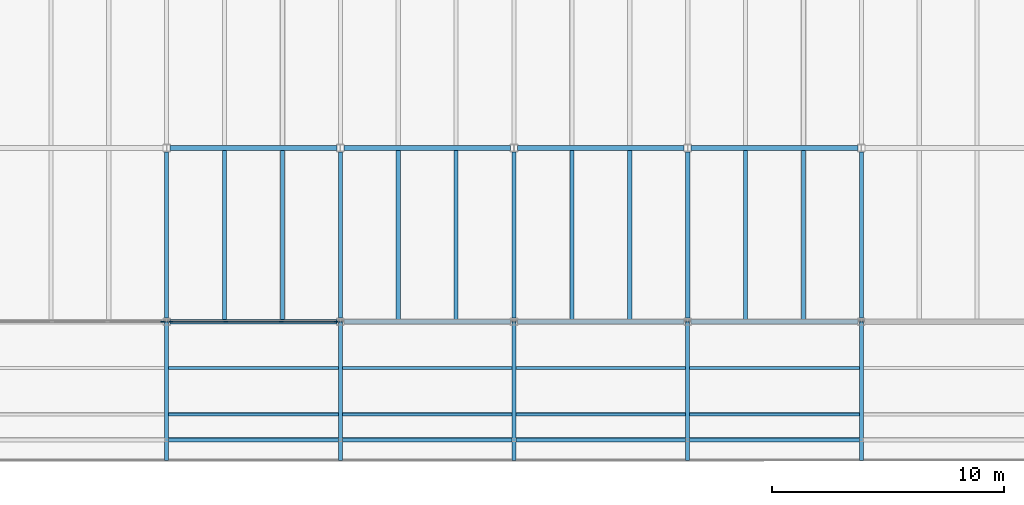
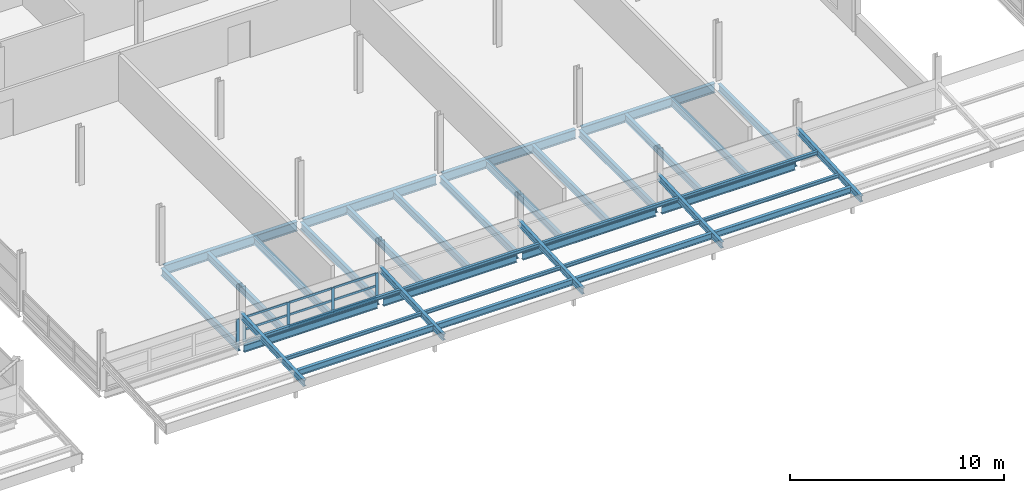
# One storey, part 40 of 214: 27 members, 25 beams, 2 elements without a shape of their own.
"""IFC4 building model written with IfcOpenShell, lengths in metres."""

import ifcopenshell
import ifcopenshell.guid

model = None  # the IFC model being written
_history = None  # IfcOwnerHistory: only IFC2X3 demands one
_inside = {}  # id of a spatial element -> (the spatial element, [elements in it])
_under = {}  # id of a project, library or spatial element -> (it, [spatial elements below it])
_declared = {}  # id of a project -> (the project, [libraries it declares])
_typed = {}  # id of a type object -> (the type object, [elements of that type])
_made_of = {}  # id of a material, layer set ... -> (it, [elements and type objects made of it])


def new_model(schema):
    """Start an empty IFC model of exactly this schema.

    Asked for "IFC4X3", IfcOpenShell would pick the latest addendum, in which some entities
    have other attributes; the version numbers below select the first issue.
    IFC2X3 requires an IfcOwnerHistory on every rooted entity: one is made here for all.
    """
    global model, _history
    if schema == "IFC4X3":
        model = ifcopenshell.file(schema_version=(4, 3, 0, 0))
    else:
        model = ifcopenshell.file(schema=schema)
    _inside.clear()
    _under.clear()
    _declared.clear()
    _typed.clear()
    _made_of.clear()
    _history = None
    if model.schema == "IFC2X3":
        org = make("IfcOrganization", Name="unknown")
        user = make(
            "IfcPersonAndOrganization",
            ThePerson=make("IfcPerson", FamilyName="unknown"),
            TheOrganization=org,
        )
        app = make(
            "IfcApplication",
            ApplicationDeveloper=org,
            Version="unknown",
            ApplicationFullName="unknown",
            ApplicationIdentifier="unknown",
        )
        _history = make(
            "IfcOwnerHistory",
            OwningUser=user,
            OwningApplication=app,
            ChangeAction="ADDED",
            CreationDate=0,
        )
    return model


def make(cls, **values):
    """One entity of the class cls with the attributes given. An attribute that is None is left unset."""
    return model.create_entity(
        cls, **{name: value for name, value in values.items() if value is not None}
    )


def rooted(cls, **values):
    """An entity with a GlobalId (a new one), such as an element, a storey or a relation."""
    return make(cls, GlobalId=ifcopenshell.guid.new(), OwnerHistory=_history, **values)


def si_unit(unit_type, name, prefix=None):
    """IfcSIUnit, for example si_unit("LENGTHUNIT", "METRE", prefix="MILLI")."""
    return make("IfcSIUnit", UnitType=unit_type, Prefix=prefix, Name=name)


def assignment(units):
    """IfcUnitAssignment: the units of a project."""
    return None if units is None else make("IfcUnitAssignment", Units=units)


def point(xyz):
    """IfcCartesianPoint."""
    return None if xyz is None else make("IfcCartesianPoint", Coordinates=xyz)


def direction(xyz):
    """IfcDirection."""
    return None if xyz is None else make("IfcDirection", DirectionRatios=xyz)


def frame(location, z_axis=None, x_axis=None):
    """IfcAxis2Placement3D, a coordinate frame: its origin and axes. An axis left out is left unset."""
    return make(
        "IfcAxis2Placement3D",
        Location=point(location),
        Axis=direction(z_axis),
        RefDirection=direction(x_axis),
    )


def frame_2d(location, x_axis=None):
    """IfcAxis2Placement2D, a coordinate frame in the plane: its origin and x axis."""
    return make(
        "IfcAxis2Placement2D", Location=point(location), RefDirection=direction(x_axis)
    )


def origin():
    """The frame at (0, 0, 0) with its axes left unset."""
    return frame((0.0, 0.0, 0.0))


def origin_2d():
    """The frame at (0, 0) in the plane with its x axis left unset."""
    return frame_2d((0.0, 0.0))


def place(relative_to, where):
    """IfcLocalPlacement: puts the frame where relative to a parent placement (None: the world)."""
    return make(
        "IfcLocalPlacement", PlacementRelTo=relative_to, RelativePlacement=where
    )


def context(
    kind, dimensions, precision=None, world=None, true_north=None, identifier=None
):
    """IfcGeometricRepresentationContext, for example the 3D "Model" context."""
    return make(
        "IfcGeometricRepresentationContext",
        ContextIdentifier=identifier,
        ContextType=kind,
        CoordinateSpaceDimension=dimensions,
        Precision=precision,
        WorldCoordinateSystem=world,
        TrueNorth=true_north,
    )


def subcontext(parent, identifier, kind, view, scale=None):
    """IfcGeometricRepresentationSubContext, for example "Body" below "Model"."""
    return make(
        "IfcGeometricRepresentationSubContext",
        ContextIdentifier=identifier,
        ContextType=kind,
        ParentContext=parent,
        TargetScale=scale,
        TargetView=view,
    )


def project(units=None, contexts=None):
    """IfcProject with its units and contexts."""
    return rooted(
        "IfcProject",
        Name="project",
        RepresentationContexts=contexts,
        UnitsInContext=assignment(units),
    )


def spatial(cls, under=None, at=None, **own):
    """A site, building, storey or space (cls), placed at a placement, below another one or the project."""
    s = rooted(cls, ObjectPlacement=at, **own)
    if under is not None:
        _under.setdefault(under.id(), (under, []))[1].append(s)
    return s


def profile(cls, at=None, kind="AREA", **sizes):
    """A parametric profile (cls). Its sizes go by their IFC names, for example OverallWidth=200.0."""
    return make(cls, ProfileType=kind, Position=at, **sizes)


def rectangle(**sizes):
    """IfcRectangleProfileDef."""
    return profile("IfcRectangleProfileDef", **sizes)


def i_section(**sizes):
    """IfcIShapeProfileDef."""
    return profile("IfcIShapeProfileDef", **sizes)


def extrude(swept, where, along, depth):
    """IfcExtrudedAreaSolid: the profile swept, set in the frame where, extruded along a direction by depth."""
    return make(
        "IfcExtrudedAreaSolid",
        SweptArea=swept,
        Position=where,
        ExtrudedDirection=direction(along),
        Depth=depth,
    )


def shape(context_of_items, identifier, shape_type, items):
    """IfcShapeRepresentation: the items that make up one representation, for example the "Body"."""
    return make(
        "IfcShapeRepresentation",
        ContextOfItems=context_of_items,
        RepresentationIdentifier=identifier,
        RepresentationType=shape_type,
        Items=items,
    )


def material(Name=None, Category=None):
    """IfcMaterial."""
    return make("IfcMaterial", Name=Name, Category=Category)


def material_profile(
    of_material, cross_section, Name=None, Category=None, Priority=None
):
    """IfcMaterialProfile: a cross section and its material."""
    return make(
        "IfcMaterialProfile",
        Name=Name,
        Material=of_material,
        Profile=cross_section,
        Priority=Priority,
        Category=Category,
    )


def profile_set(profiles, Name=None, composite=None):
    """IfcMaterialProfileSet."""
    return make(
        "IfcMaterialProfileSet",
        Name=Name,
        MaterialProfiles=profiles,
        CompositeProfile=composite,
    )


def made_of(thing, what):
    """Note that an element or type object is made of a material, layer set ...; save() writes the relation."""
    if what is not None:
        _made_of.setdefault(what.id(), (what, []))[1].append(thing)
    return thing


def type_object(cls, material=None, **own):
    """A type object (cls), such as IfcWallType, which elements share."""
    return made_of(rooted(cls, **own), material)


def element(
    cls,
    number,
    at=None,
    inside=None,
    cuts=None,
    type_object=None,
    material=None,
    context=None,
    identifier="Body",
    shape_type=None,
    held_by="IfcProductDefinitionShape",
    body=None,
    shapes=None,
    **own,
):
    """One element of the class cls, such as IfcWall. Its Tag is "e" and its number.

    at: its placement. inside: the storey or other place that contains it. cuts: it is an
    opening in that element (IfcRelVoidsElement). A single representation is given by context,
    identifier, shape_type and body (its items); several are given by shapes. held_by: the class
    of the entity that holds the representations. save() writes the other relations.
    """
    e = rooted(cls, Tag="e%d" % number, ObjectPlacement=at, **own)
    if body is not None:
        shapes = [shape(context, identifier, shape_type, body)]
    if shapes is not None:
        e.Representation = make(held_by, Representations=shapes)
    if inside is not None:
        _inside.setdefault(inside.id(), (inside, []))[1].append(e)
    if cuts is not None:
        rooted(
            "IfcRelVoidsElement", RelatingBuildingElement=cuts, RelatedOpeningElement=e
        )
    if type_object is not None:
        _typed.setdefault(type_object.id(), (type_object, []))[1].append(e)
    return made_of(e, material)


def aggregate(whole, parts):
    """IfcRelAggregates: a whole, such as a stair, and the parts it consists of."""
    return rooted("IfcRelAggregates", RelatingObject=whole, RelatedObjects=parts)


def save(model, path):
    """Write the relations noted so far, then the file.

    IfcRelAggregates (storeys below a building ...), IfcRelContainedInSpatialStructure (elements
    in a storey), IfcRelDefinesByType, IfcRelAssociatesMaterial and IfcRelDeclares: one each for
    every whole, place, type object, material and project.
    """
    for whole, parts in _under.values():
        aggregate(whole, parts)
    for where, things in _inside.values():
        rooted(
            "IfcRelContainedInSpatialStructure",
            RelatedElements=things,
            RelatingStructure=where,
        )
    for kind, things in _typed.values():
        rooted("IfcRelDefinesByType", RelatedObjects=things, RelatingType=kind)
    for what, things in _made_of.values():
        rooted("IfcRelAssociatesMaterial", RelatedObjects=things, RelatingMaterial=what)
    for by, libraries in _declared.values():
        rooted("IfcRelDeclares", RelatingContext=by, RelatedDefinitions=libraries)
    model.write(path)


model = new_model("IFC4")

# Units and contexts
model_context = context("Model", 3, precision=1e-05, world=origin(), true_north=direction((0.0, 1.0)))
body_context = subcontext(model_context, "Body", "Model", "MODEL_VIEW")
ifc_project = project(units=[si_unit("LENGTHUNIT", "METRE"), si_unit("AREAUNIT", "SQUARE_METRE"), si_unit("VOLUMEUNIT", "CUBIC_METRE"), si_unit("PLANEANGLEUNIT", "RADIAN"), si_unit("MASSUNIT", "GRAM", prefix="KILO")], contexts=[model_context])

# Site, building, storey
site_placement = place(None, origin())
site = spatial("IfcSite", under=ifc_project, at=site_placement, CompositionType="ELEMENT")
building_placement = place(site_placement, origin())
building = spatial("IfcBuilding", under=site, at=building_placement, Name="Parallax Yard Mobility Hub", CompositionType="ELEMENT")
storey_placement = place(building_placement, frame((0.0, 0.0, 3.300048828125)))
storey = spatial("IfcBuildingStorey", under=building, at=storey_placement, Name="L01", CompositionType="ELEMENT", Elevation=3.300048828125)

# Beams
ifc_material_1 = material(Name="Steel ASTM A992", Category="steel")
ifc_material_profile_1 = material_profile(ifc_material_1, i_section(OverallWidth=0.1708984375, OverallDepth=0.35498046875, WebThickness=0.007080078125, FlangeThickness=0.01171875, at=origin_2d()), Name="W360x51")
ifc_profile_set_1 = profile_set([ifc_material_profile_1], Name="Steel ASTM A992")
beam_type_1 = type_object("IfcBeamType", Name="Arcade edge beam W360x51", PredefinedType="SPANDREL", material=ifc_profile_set_1)
for number, where, z_axis, x_axis, name in (
    (1, (105.08544921875, 2.408935546875, 1.378173828125), (1.0, 0.0, 0.0), (0.0, 0.998752343433, 0.049937525845), "Arcade edge beam V6 bay 2"),
    (2, (112.58544921875, 2.408935546875, 1.378173828125), (1.0, 0.0, 0.0), (0.0, 0.998752343433, 0.049937525845), "Arcade edge beam V6 bay 3"),
    (3, (120.08544921875, 2.408935546875, 1.378173828125), (1.0, 0.0, 0.0), (0.0, 0.998752343433, 0.049937525845), "Arcade edge beam V6 bay 4"),
    (4, (127.58544921875, 2.408935546875, 1.378173828125), (1.0, 0.0, 0.0), (0.0, 0.998752343433, 0.049937525845), "Arcade edge beam V6 bay 5"),
):
    element("IfcBeam", number, at=place(storey_placement, frame(where, z_axis=z_axis, x_axis=x_axis)), inside=storey, type_object=beam_type_1, Name=name, PredefinedType="SPANDREL", context=body_context, shape_type="SweptSolid", body=[
        extrude(i_section(OverallWidth=0.1708984375, OverallDepth=0.35498046875, WebThickness=0.007080078125, FlangeThickness=0.01171875, at=origin_2d()), origin(), (0.0, 0.0, 1.0), 7.3291015625),
    ])

# Members
ifc_material_profile_2 = material_profile(ifc_material_1, i_section(OverallWidth=0.133056640625, OverallDepth=0.20703125, WebThickness=0.005859375, FlangeThickness=0.00830078125, at=origin_2d()), Name="W200x27")
ifc_profile_set_2 = profile_set([ifc_material_profile_2], Name="Steel ASTM A992")
member_type_1 = type_object("IfcMemberType", Name="Arcade purlin W200x27", PredefinedType="PURLIN", material=ifc_profile_set_2)
for number, where, z_axis, x_axis, name in (
    (5, (105.08544921875, 3.505126953125, 1.507080078125), (1.0, 0.0, 0.0), (0.0, 0.998752343433, 0.049937525845), "Arcade purlin V6 bay 2 line 1"),
    (6, (105.08544921875, 5.505126953125, 1.60693359375), (1.0, 0.0, 0.0), (0.0, 0.998752343433, 0.049937525845), "Arcade purlin V6 bay 2 line 2"),
    (7, (112.58544921875, 3.505126953125, 1.507080078125), (1.0, 0.0, 0.0), (0.0, 0.998752343433, 0.049937525845), "Arcade purlin V6 bay 3 line 1"),
    (8, (112.58544921875, 5.505126953125, 1.60693359375), (1.0, 0.0, 0.0), (0.0, 0.998752343433, 0.049937525845), "Arcade purlin V6 bay 3 line 2"),
    (9, (120.08544921875, 3.505126953125, 1.507080078125), (1.0, 0.0, 0.0), (0.0, 0.998752343433, 0.049937525845), "Arcade purlin V6 bay 4 line 1"),
    (10, (120.08544921875, 5.505126953125, 1.60693359375), (1.0, 0.0, 0.0), (0.0, 0.998752343433, 0.049937525845), "Arcade purlin V6 bay 4 line 2"),
    (11, (127.58544921875, 3.505126953125, 1.507080078125), (1.0, 0.0, 0.0), (0.0, 0.998752343433, 0.049937525845), "Arcade purlin V6 bay 5 line 1"),
    (12, (127.58544921875, 5.505126953125, 1.60693359375), (1.0, 0.0, 0.0), (0.0, 0.998752343433, 0.049937525845), "Arcade purlin V6 bay 5 line 2"),
):
    element("IfcMember", number, at=place(storey_placement, frame(where, z_axis=z_axis, x_axis=x_axis)), inside=storey, type_object=member_type_1, Name=name, PredefinedType="PURLIN", context=body_context, shape_type="SweptSolid", body=[
        extrude(i_section(OverallWidth=0.133056640625, OverallDepth=0.20703125, WebThickness=0.005859375, FlangeThickness=0.00830078125, at=origin_2d()), origin(), (0.0, 0.0, 1.0), 7.3291015625),
    ])
ifc_material_profile_3 = material_profile(ifc_material_1, i_section(OverallWidth=0.1708984375, OverallDepth=0.35498046875, WebThickness=0.007080078125, FlangeThickness=0.01171875, at=origin_2d()), Name="W360x51")
ifc_profile_set_3 = profile_set([ifc_material_profile_3], Name="Steel ASTM A992")
member_type_2 = type_object("IfcMemberType", Name="Arcade rafter W360x51", PredefinedType="RAFTER", material=ifc_profile_set_3)
for number, where, z_axis, x_axis, name in (
    (13, (105.0, 1.518798828125, 1.333740234375), (0.0, 0.998753861131, 0.049907162574), (-1.0, 0.0, 0.0), "Arcade rafter V6 2"),
    (14, (112.5, 1.518798828125, 1.333740234375), (0.0, 0.998753861131, 0.049907162574), (-1.0, 0.0, 0.0), "Arcade rafter V6 3"),
    (15, (120.0, 1.518798828125, 1.333740234375), (0.0, 0.998753861131, 0.049907162574), (-1.0, 0.0, 0.0), "Arcade rafter V6 4"),
    (16, (127.5, 1.518798828125, 1.333740234375), (0.0, 0.998753861131, 0.049907162574), (-1.0, 0.0, 0.0), "Arcade rafter V6 5"),
    (17, (135.0, 1.518798828125, 1.333740234375), (0.0, 0.998753861131, 0.049907162574), (-1.0, 0.0, 0.0), "Arcade rafter V6 6"),
):
    element("IfcMember", number, at=place(storey_placement, frame(where, z_axis=z_axis, x_axis=x_axis)), inside=storey, type_object=member_type_2, Name=name, PredefinedType="RAFTER", context=body_context, shape_type="SweptSolid", body=[
        extrude(i_section(OverallWidth=0.1708984375, OverallDepth=0.35498046875, WebThickness=0.007080078125, FlangeThickness=0.01171875, at=origin_2d()), origin(), (0.0, 0.0, 1.0), 5.99755859375),
    ])

# Curtain wall, member
ifc_material_2 = material(Name="Thermally broken aluminium curtain wall system", Category="aluminium")
curtain_wall_type = type_object("IfcCurtainWallType", Name="Curtain wall run 60 x 160 frame", PredefinedType="NOTDEFINED", material=ifc_material_2)
curtain_wall_1_placement = place(storey_placement, origin())
curtain_wall_1 = element("IfcCurtainWall", 18, at=curtain_wall_1_placement, inside=storey, type_object=curtain_wall_type, Name="Curtain wall run Mobility service centre and workshops south bay 1 level L01", PredefinedType="NOTDEFINED")
ifc_material_3 = material(Name="Extruded aluminium", Category="aluminium")
ifc_material_profile_4 = material_profile(ifc_material_3, rectangle(XDim=0.06005859375, YDim=0.159912109375, at=origin_2d()), Name="Mullion 60 x 160")
ifc_profile_set_4 = profile_set([ifc_material_profile_4], Name="Extruded aluminium")
member_type_3 = type_object("IfcMemberType", Name="Mullion 60 x 160", PredefinedType="MULLION", material=ifc_profile_set_4)
member_1_placement = place(storey_placement, frame((104.81640625, 7.5, 0.0), z_axis=(0.0, 0.0, 1.0), x_axis=(0.0, 1.0, 0.0)))
member_1 = element("IfcMember", 19, at=member_1_placement, type_object=member_type_3, Name="CW1 mullion 4", PredefinedType="MULLION", context=body_context, shape_type="SweptSolid", body=[
    extrude(rectangle(XDim=0.06005859375, YDim=0.159912109375, at=origin_2d()), origin(), (0.0, 0.0, 1.0), 1.4404296875),
])
aggregate(curtain_wall_1, [member_1])

# Curtain wall, members
curtain_wall_2_placement = place(storey_placement, origin())
curtain_wall_2 = element("IfcCurtainWall", 20, at=curtain_wall_2_placement, inside=storey, type_object=curtain_wall_type, Name="Curtain wall run Mobility service centre and workshops south bay 2 level L01", PredefinedType="NOTDEFINED")
member_2_placement = place(storey_placement, frame((105.18359375, 7.5, 0.0), z_axis=(0.0, 0.0, 1.0), x_axis=(0.0, 1.0, 0.0)))
member_2 = element("IfcMember", 21, at=member_2_placement, type_object=member_type_3, Name="CW1 mullion 1", PredefinedType="MULLION", context=body_context, shape_type="SweptSolid", body=[
    extrude(rectangle(XDim=0.06005859375, YDim=0.159912109375, at=origin_2d()), origin(), (0.0, 0.0, 1.0), 1.4404296875),
])
member_3_placement = place(storey_placement, frame((107.55126953125, 7.5, 0.0), z_axis=(0.0, 0.0, 1.0), x_axis=(0.0, 1.0, 0.0)))
member_3 = element("IfcMember", 22, at=member_3_placement, type_object=member_type_3, Name="CW1 mullion 2", PredefinedType="MULLION", context=body_context, shape_type="SweptSolid", body=[
    extrude(rectangle(XDim=0.06005859375, YDim=0.159912109375, at=origin_2d()), origin(), (0.0, 0.0, 1.0), 1.4404296875),
])
member_4_placement = place(storey_placement, frame((109.94873046875, 7.5, 0.0), z_axis=(0.0, 0.0, 1.0), x_axis=(0.0, 1.0, 0.0)))
member_4 = element("IfcMember", 23, at=member_4_placement, type_object=member_type_3, Name="CW1 mullion 3", PredefinedType="MULLION", context=body_context, shape_type="SweptSolid", body=[
    extrude(rectangle(XDim=0.06005859375, YDim=0.159912109375, at=origin_2d()), origin(), (0.0, 0.0, 1.0), 1.4404296875),
])
member_5_placement = place(storey_placement, frame((112.31640625, 7.5, 0.0), z_axis=(0.0, 0.0, 1.0), x_axis=(0.0, 1.0, 0.0)))
member_5 = element("IfcMember", 24, at=member_5_placement, type_object=member_type_3, Name="CW1 mullion 4", PredefinedType="MULLION", context=body_context, shape_type="SweptSolid", body=[
    extrude(rectangle(XDim=0.06005859375, YDim=0.159912109375, at=origin_2d()), origin(), (0.0, 0.0, 1.0), 1.4404296875),
])
ifc_material_profile_5 = material_profile(ifc_material_3, rectangle(XDim=0.06005859375, YDim=0.1201171875, at=origin_2d()), Name="Transom 60 x 120")
ifc_profile_set_5 = profile_set([ifc_material_profile_5], Name="Extruded aluminium")
member_type_4 = type_object("IfcMemberType", Name="Transom 60 x 120", PredefinedType="USERDEFINED", material=ifc_profile_set_5)
member_6_placement = place(storey_placement, frame((105.21337890625, 7.5, 0.030029296875), z_axis=(1.0, 0.0, 0.0), x_axis=(0.0, 1.0, 0.0)))
member_6 = element("IfcMember", 25, at=member_6_placement, type_object=member_type_4, Name="CW1 transom 1.1", ObjectType="TRANSOM", PredefinedType="USERDEFINED", context=body_context, shape_type="SweptSolid", body=[
    extrude(rectangle(XDim=0.06005859375, YDim=0.1201171875, at=origin_2d()), origin(), (0.0, 0.0, 1.0), 2.307861328125),
])
member_7_placement = place(storey_placement, frame((105.21337890625, 7.5, 0.72021484375), z_axis=(1.0, 0.0, 0.0), x_axis=(0.0, 1.0, 0.0)))
member_7 = element("IfcMember", 26, at=member_7_placement, type_object=member_type_4, Name="CW1 transom 1.2", ObjectType="TRANSOM", PredefinedType="USERDEFINED", context=body_context, shape_type="SweptSolid", body=[
    extrude(rectangle(XDim=0.06005859375, YDim=0.1201171875, at=origin_2d()), origin(), (0.0, 0.0, 1.0), 2.307861328125),
])
member_8_placement = place(storey_placement, frame((105.21337890625, 7.5, 1.410400390625), z_axis=(1.0, 0.0, 0.0), x_axis=(0.0, 1.0, 0.0)))
member_8 = element("IfcMember", 27, at=member_8_placement, type_object=member_type_4, Name="CW1 transom 1.3", ObjectType="TRANSOM", PredefinedType="USERDEFINED", context=body_context, shape_type="SweptSolid", body=[
    extrude(rectangle(XDim=0.06005859375, YDim=0.1201171875, at=origin_2d()), origin(), (0.0, 0.0, 1.0), 2.307861328125),
])
member_9_placement = place(storey_placement, frame((107.5810546875, 7.5, 0.030029296875), z_axis=(1.0, 0.0, 0.0), x_axis=(0.0, 1.0, 0.0)))
member_9 = element("IfcMember", 28, at=member_9_placement, type_object=member_type_4, Name="CW1 transom 2.1", ObjectType="TRANSOM", PredefinedType="USERDEFINED", context=body_context, shape_type="SweptSolid", body=[
    extrude(rectangle(XDim=0.06005859375, YDim=0.1201171875, at=origin_2d()), origin(), (0.0, 0.0, 1.0), 2.337890625),
])
member_10_placement = place(storey_placement, frame((107.5810546875, 7.5, 0.72021484375), z_axis=(1.0, 0.0, 0.0), x_axis=(0.0, 1.0, 0.0)))
member_10 = element("IfcMember", 29, at=member_10_placement, type_object=member_type_4, Name="CW1 transom 2.2", ObjectType="TRANSOM", PredefinedType="USERDEFINED", context=body_context, shape_type="SweptSolid", body=[
    extrude(rectangle(XDim=0.06005859375, YDim=0.1201171875, at=origin_2d()), origin(), (0.0, 0.0, 1.0), 2.337890625),
])
member_11_placement = place(storey_placement, frame((107.5810546875, 7.5, 1.410400390625), z_axis=(1.0, 0.0, 0.0), x_axis=(0.0, 1.0, 0.0)))
member_11 = element("IfcMember", 30, at=member_11_placement, type_object=member_type_4, Name="CW1 transom 2.3", ObjectType="TRANSOM", PredefinedType="USERDEFINED", context=body_context, shape_type="SweptSolid", body=[
    extrude(rectangle(XDim=0.06005859375, YDim=0.1201171875, at=origin_2d()), origin(), (0.0, 0.0, 1.0), 2.337890625),
])
member_12_placement = place(storey_placement, frame((109.978759765625, 7.5, 0.030029296875), z_axis=(1.0, 0.0, 0.0), x_axis=(0.0, 1.0, 0.0)))
member_12 = element("IfcMember", 31, at=member_12_placement, type_object=member_type_4, Name="CW1 transom 3.1", ObjectType="TRANSOM", PredefinedType="USERDEFINED", context=body_context, shape_type="SweptSolid", body=[
    extrude(rectangle(XDim=0.06005859375, YDim=0.1201171875, at=origin_2d()), origin(), (0.0, 0.0, 1.0), 2.307861328125),
])
member_13_placement = place(storey_placement, frame((109.978759765625, 7.5, 0.72021484375), z_axis=(1.0, 0.0, 0.0), x_axis=(0.0, 1.0, 0.0)))
member_13 = element("IfcMember", 32, at=member_13_placement, type_object=member_type_4, Name="CW1 transom 3.2", ObjectType="TRANSOM", PredefinedType="USERDEFINED", context=body_context, shape_type="SweptSolid", body=[
    extrude(rectangle(XDim=0.06005859375, YDim=0.1201171875, at=origin_2d()), origin(), (0.0, 0.0, 1.0), 2.307861328125),
])
member_14_placement = place(storey_placement, frame((109.978759765625, 7.5, 1.410400390625), z_axis=(1.0, 0.0, 0.0), x_axis=(0.0, 1.0, 0.0)))
member_14 = element("IfcMember", 33, at=member_14_placement, type_object=member_type_4, Name="CW1 transom 3.3", ObjectType="TRANSOM", PredefinedType="USERDEFINED", context=body_context, shape_type="SweptSolid", body=[
    extrude(rectangle(XDim=0.06005859375, YDim=0.1201171875, at=origin_2d()), origin(), (0.0, 0.0, 1.0), 2.307861328125),
])
aggregate(curtain_wall_2, [member_2, member_3, member_4, member_5, member_6, member_7, member_8, member_9, member_10, member_11, member_12, member_13, member_14])

# Beams
ifc_material_profile_6 = material_profile(ifc_material_1, i_section(OverallWidth=0.177978515625, OverallDepth=0.406005859375, WebThickness=0.0078125, FlangeThickness=0.0126953125, FilletRadius=0.01025390625, at=origin_2d()), Name="W410x60")
ifc_profile_set_6 = profile_set([ifc_material_profile_6], Name="Steel ASTM A992")
beam_type_2 = type_object("IfcBeamType", Name="W410x60 secondary beam", PredefinedType="JOIST", material=ifc_profile_set_6)
for number, where, z_axis, x_axis, name in (
    (34, (107.5, 7.589599609375, -0.343017578125), (0.0, 1.0, 0.0), (-1.0, 0.0, 0.0), "Secondary beam B1 level L01, 2.5 m east of line 15 of mobility service centre and workshops, span 1"),
    (35, (115.0, 7.589599609375, -0.343017578125), (0.0, 1.0, 0.0), (-1.0, 0.0, 0.0), "Secondary beam B1 level L01, 2.5 m east of line 16 of mobility service centre and workshops, span 1"),
    (36, (122.5, 7.589599609375, -0.343017578125), (0.0, 1.0, 0.0), (-1.0, 0.0, 0.0), "Secondary beam B1 level L01, 2.5 m east of line 17 of mobility service centre and workshops, span 1"),
    (37, (130.0, 7.589599609375, -0.343017578125), (0.0, 1.0, 0.0), (-1.0, 0.0, 0.0), "Secondary beam B1 level L01, 2.5 m east of line 18 of mobility service centre and workshops, span 1"),
    (38, (110.0, 7.589599609375, -0.343017578125), (0.0, 1.0, 0.0), (-1.0, 0.0, 0.0), "Secondary beam B1 level L01, 5 m east of line 15 of mobility service centre and workshops, span 1"),
    (39, (117.5, 7.589599609375, -0.343017578125), (0.0, 1.0, 0.0), (-1.0, 0.0, 0.0), "Secondary beam B1 level L01, 5 m east of line 16 of mobility service centre and workshops, span 1"),
    (40, (125.0, 7.589599609375, -0.343017578125), (0.0, 1.0, 0.0), (-1.0, 0.0, 0.0), "Secondary beam B1 level L01, 5 m east of line 17 of mobility service centre and workshops, span 1"),
    (41, (132.5, 7.589599609375, -0.343017578125), (0.0, 1.0, 0.0), (-1.0, 0.0, 0.0), "Secondary beam B1 level L01, 5 m east of line 18 of mobility service centre and workshops, span 1"),
):
    element("IfcBeam", number, at=place(storey_placement, frame(where, z_axis=z_axis, x_axis=x_axis)), inside=storey, type_object=beam_type_2, Name=name, PredefinedType="JOIST", context=body_context, shape_type="SweptSolid", body=[
        extrude(i_section(OverallWidth=0.177978515625, OverallDepth=0.406005859375, WebThickness=0.0078125, FlangeThickness=0.0126953125, FilletRadius=0.01025390625, at=origin_2d()), origin(), (0.0, 0.0, 1.0), 7.305908203125),
    ])
ifc_material_profile_7 = material_profile(ifc_material_1, i_section(OverallWidth=0.178955078125, OverallDepth=0.408935546875, WebThickness=0.0087890625, FlangeThickness=0.014404296875, FilletRadius=0.01025390625, at=origin_2d()), Name="W410x67")
ifc_profile_set_7 = profile_set([ifc_material_profile_7], Name="Steel ASTM A992")
beam_type_3 = type_object("IfcBeamType", Name="W410x67 edge beam", PredefinedType="SPANDREL", material=ifc_profile_set_7)
for number, where, z_axis, x_axis, name in (
    (42, (105.152587890625, 7.5, -0.344482421875), (1.0, 0.0, 0.0), (0.0, 1.0, 0.0), "Edge beam SB3 level L01, line B of mobility service centre and workshops, span 2"),
    (43, (112.652587890625, 7.5, -0.344482421875), (1.0, 0.0, 0.0), (0.0, 1.0, 0.0), "Edge beam SB3 level L01, line B of mobility service centre and workshops, span 3"),
    (44, (120.152587890625, 7.5, -0.344482421875), (1.0, 0.0, 0.0), (0.0, 1.0, 0.0), "Edge beam SB3 level L01, line B of mobility service centre and workshops, span 4"),
    (45, (127.652587890625, 7.5, -0.344482421875), (1.0, 0.0, 0.0), (0.0, 1.0, 0.0), "Edge beam SB3 level L01, line B of mobility service centre and workshops, span 5"),
):
    element("IfcBeam", number, at=place(storey_placement, frame(where, z_axis=z_axis, x_axis=x_axis)), inside=storey, type_object=beam_type_3, Name=name, PredefinedType="SPANDREL", context=body_context, shape_type="SweptSolid", body=[
        extrude(i_section(OverallWidth=0.178955078125, OverallDepth=0.408935546875, WebThickness=0.0087890625, FlangeThickness=0.014404296875, FilletRadius=0.01025390625, at=origin_2d()), origin(), (0.0, 0.0, 1.0), 7.19482421875),
    ])
ifc_material_profile_8 = material_profile(ifc_material_1, i_section(OverallWidth=0.178955078125, OverallDepth=0.408935546875, WebThickness=0.0087890625, FlangeThickness=0.014404296875, FilletRadius=0.01025390625, at=origin_2d()), Name="W410x67")
ifc_profile_set_8 = profile_set([ifc_material_profile_8], Name="Steel ASTM A992")
beam_type_4 = type_object("IfcBeamType", Name="W410x67 girder", PredefinedType="BEAM", material=ifc_profile_set_8)
for number, where, z_axis, x_axis, name in (
    (46, (105.0, 7.653564453125, -0.344482421875), (0.0, 1.0, 0.0), (-1.0, 0.0, 0.0), "Girder G1 level L01, line 15 of mobility service centre and workshops, span 1"),
    (47, (112.5, 7.653564453125, -0.344482421875), (0.0, 1.0, 0.0), (-1.0, 0.0, 0.0), "Girder G1 level L01, line 16 of mobility service centre and workshops, span 1"),
    (48, (120.0, 7.653564453125, -0.344482421875), (0.0, 1.0, 0.0), (-1.0, 0.0, 0.0), "Girder G1 level L01, line 17 of mobility service centre and workshops, span 1"),
    (49, (127.5, 7.653564453125, -0.344482421875), (0.0, 1.0, 0.0), (-1.0, 0.0, 0.0), "Girder G1 level L01, line 18 of mobility service centre and workshops, span 1"),
    (50, (135.0, 7.653564453125, -0.344482421875), (0.0, 1.0, 0.0), (-1.0, 0.0, 0.0), "Girder G1 level L01, line 19 of mobility service centre and workshops, span 1"),
):
    element("IfcBeam", number, at=place(storey_placement, frame(where, z_axis=z_axis, x_axis=x_axis)), inside=storey, type_object=beam_type_4, Name=name, PredefinedType="BEAM", context=body_context, shape_type="SweptSolid", body=[
        extrude(i_section(OverallWidth=0.178955078125, OverallDepth=0.408935546875, WebThickness=0.0087890625, FlangeThickness=0.014404296875, FilletRadius=0.01025390625, at=origin_2d()), origin(), (0.0, 0.0, 1.0), 7.1875),
    ])
ifc_material_profile_9 = material_profile(ifc_material_1, i_section(OverallWidth=0.208984375, OverallDepth=0.532958984375, WebThickness=0.01025390625, FlangeThickness=0.015625, FilletRadius=0.0126953125, at=origin_2d()), Name="W530x92")
ifc_profile_set_9 = profile_set([ifc_material_profile_9], Name="Steel ASTM A992")
beam_type_5 = type_object("IfcBeamType", Name="W530x92 longitudinal beam", PredefinedType="BEAM", material=ifc_profile_set_9)
for number, where, z_axis, x_axis, name in (
    (51, (105.153564453125, 15.0, -0.406494140625), (1.0, 0.0, 0.0), (0.0, 1.0, 0.0), "Longitudinal beam SB6 level L01, line C of mobility service centre and workshops, span 2"),
    (52, (112.653564453125, 15.0, -0.406494140625), (1.0, 0.0, 0.0), (0.0, 1.0, 0.0), "Longitudinal beam SB6 level L01, line C of mobility service centre and workshops, span 3"),
    (53, (120.153564453125, 15.0, -0.406494140625), (1.0, 0.0, 0.0), (0.0, 1.0, 0.0), "Longitudinal beam SB6 level L01, line C of mobility service centre and workshops, span 4"),
    (54, (127.653564453125, 15.0, -0.406494140625), (1.0, 0.0, 0.0), (0.0, 1.0, 0.0), "Longitudinal beam SB6 level L01, line C of mobility service centre and workshops, span 5"),
):
    element("IfcBeam", number, at=place(storey_placement, frame(where, z_axis=z_axis, x_axis=x_axis)), inside=storey, type_object=beam_type_5, Name=name, PredefinedType="BEAM", context=body_context, shape_type="SweptSolid", body=[
        extrude(i_section(OverallWidth=0.208984375, OverallDepth=0.532958984375, WebThickness=0.01025390625, FlangeThickness=0.015625, FilletRadius=0.0126953125, at=origin_2d()), origin(), (0.0, 0.0, 1.0), 7.19287109375),
    ])

save(model, "model.ifc")
